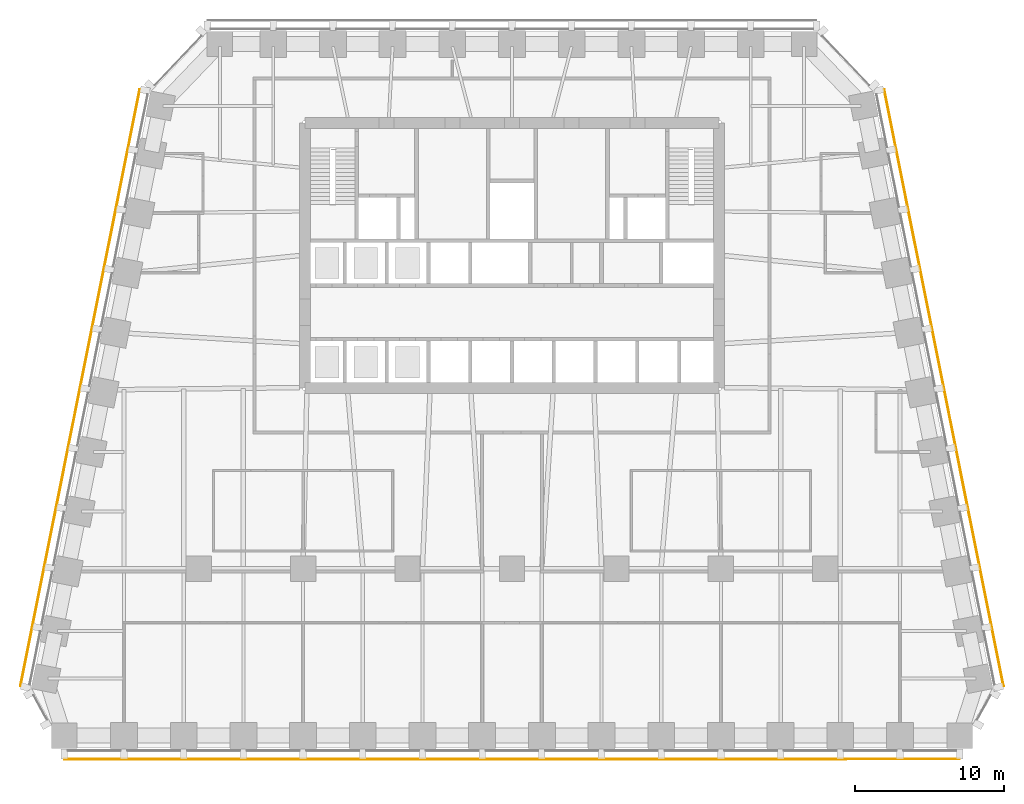
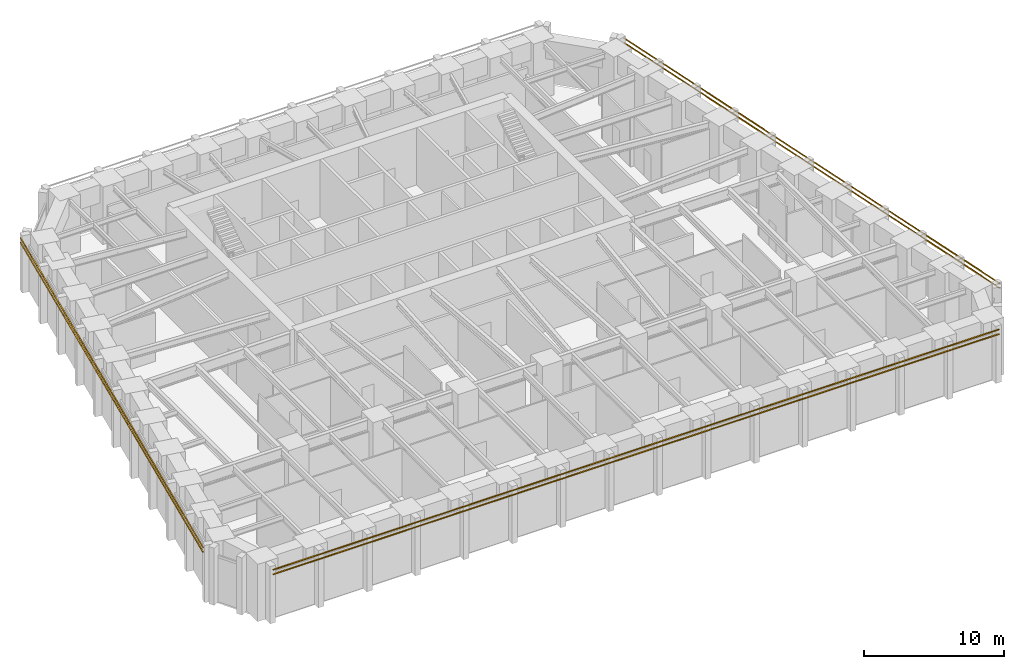
# One storey, part 9 of 11: 6 shading devices.
"""IFC4 building model written with IfcOpenShell, lengths in metres."""

from ifc_helpers import new_model, si_unit, direction, frame, origin, origin_2d, place, context, subcontext, project, spatial, rectangle, extrude, material, material_profile, profile_set, type_object, element, save


model = new_model("IFC4")

# Units and contexts
model_context = context("Model", 3, precision=1e-05, world=origin(), true_north=direction((0.0, 1.0)))
body_context = subcontext(model_context, "Body", "Model", "MODEL_VIEW")
ifc_project = project(units=[si_unit("LENGTHUNIT", "METRE"), si_unit("AREAUNIT", "SQUARE_METRE"), si_unit("VOLUMEUNIT", "CUBIC_METRE"), si_unit("PLANEANGLEUNIT", "RADIAN"), si_unit("MASSUNIT", "GRAM", prefix="KILO")], contexts=[model_context])

# Site, building, storey
site_placement = place(None, origin())
site = spatial("IfcSite", under=ifc_project, at=site_placement, CompositionType="ELEMENT")
building_placement = place(site_placement, origin())
building = spatial("IfcBuilding", under=site, at=building_placement, Name="Isbrekke Arena Tower", CompositionType="ELEMENT")
storey_placement = place(building_placement, frame((0.0, 0.0, 98.0)))
storey = spatial("IfcBuildingStorey", under=building, at=storey_placement, Name="L21", CompositionType="ELEMENT", Elevation=98.0)

# Shading devices
ifc_material = material(Name="Terracotta", Category="masonry")
ifc_material_profile = material_profile(ifc_material, rectangle(XDim=0.06005859375, YDim=0.06005859375, at=origin_2d()), Name="BAGUETTE 60X60")
ifc_profile_set = profile_set([ifc_material_profile], Name="Terracotta")
shading_device_type = type_object("IfcShadingDeviceType", Name="BG1 TERRACOTTA BAGUETTE 60 x 60", PredefinedType="USERDEFINED", material=ifc_profile_set)
for number, where, z_axis, x_axis, name in (
    (1, (-30.0, -18.7548828125, 4.280029296875), (1.0, 0.0, 0.0), (0.0, 1.0, 0.0), "BG1 terracotta baguette S1 L21"),
    (2, (-30.0, -18.7548828125, 4.679931640625), (1.0, 0.0, 0.0), (0.0, 1.0, 0.0), "BG1 terracotta baguette S2 L21"),
):
    element("IfcShadingDevice", number, at=place(storey_placement, frame(where, z_axis=z_axis, x_axis=x_axis)), inside=storey, type_object=shading_device_type, Name=name, ObjectType="TERRACOTTA BAGUETTE", PredefinedType="USERDEFINED", context=body_context, shape_type="SweptSolid", body=[
        extrude(rectangle(XDim=0.06005859375, YDim=0.06005859375, at=origin_2d()), origin(), (0.0, 0.0, 1.0), 60.0),
    ])
for number, where, z_axis, x_axis, name in (
    (3, (32.9404296875, -13.85205078125, 4.280029296875), (-0.196116135138, 0.980580675691, 0.0), (-0.980580675691, -0.196116135138, 0.0), "BG1 terracotta baguette E1 L21"),
    (4, (32.9404296875, -13.85205078125, 4.679931640625), (-0.196116135138, 0.980580675691, 0.0), (-0.980580675691, -0.196116135138, 0.0), "BG1 terracotta baguette E2 L21"),
    (5, (-24.9404296875, 26.14794921875, 4.280029296875), (-0.196116135138, -0.980580675691, 0.0), (0.980580675691, -0.196116135138, 0.0), "BG1 terracotta baguette W1 L21"),
    (6, (-24.9404296875, 26.14794921875, 4.679931640625), (-0.196116135138, -0.980580675691, 0.0), (0.980580675691, -0.196116135138, 0.0), "BG1 terracotta baguette W2 L21"),
):
    element("IfcShadingDevice", number, at=place(storey_placement, frame(where, z_axis=z_axis, x_axis=x_axis)), inside=storey, type_object=shading_device_type, Name=name, ObjectType="TERRACOTTA BAGUETTE", PredefinedType="USERDEFINED", context=body_context, shape_type="SweptSolid", body=[
        extrude(rectangle(XDim=0.06005859375, YDim=0.06005859375, at=origin_2d()), origin(), (0.0, 0.0, 1.0), 40.792236328125),
    ])

save(model, "model.ifc")
